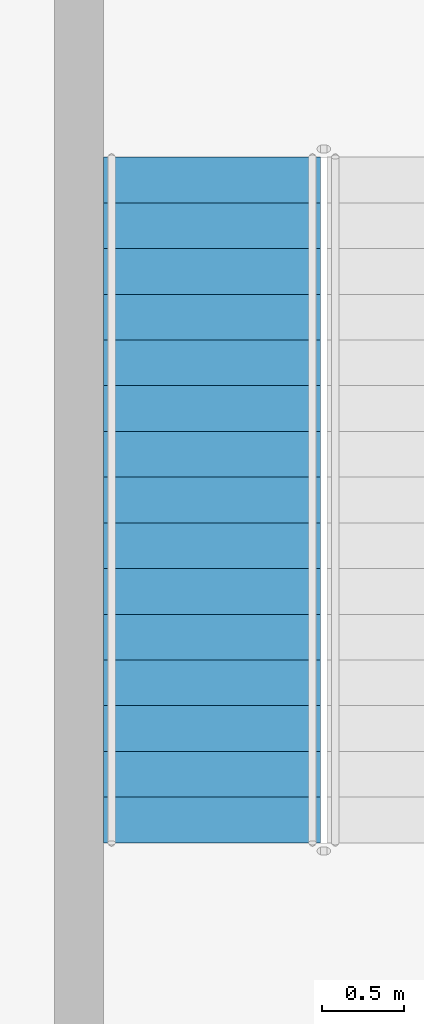
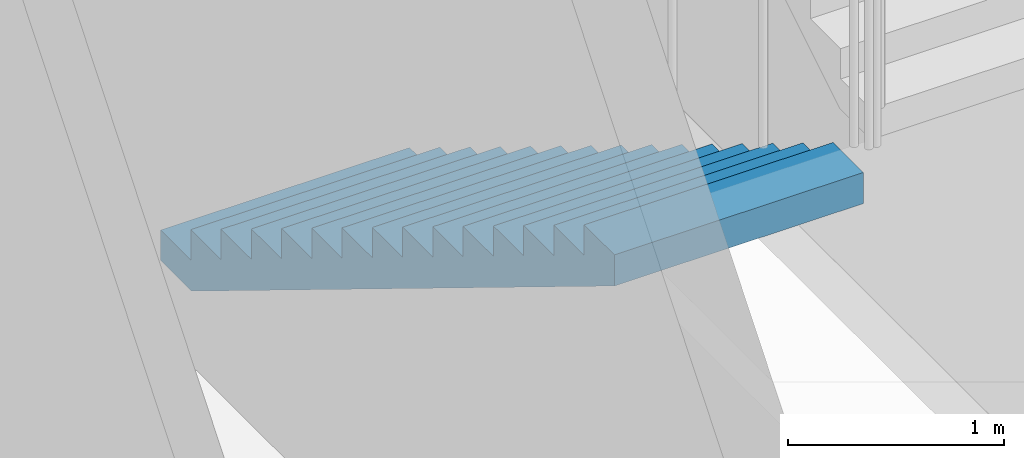
# One storey, part 15 of 31: 1 stair flight, 1 element without a shape of its own.
"""IFC4 building model written with IfcOpenShell, lengths in metres."""

import ifcopenshell
import ifcopenshell.guid

model = None  # the IFC model being written
_history = None  # IfcOwnerHistory: only IFC2X3 demands one
_inside = {}  # id of a spatial element -> (the spatial element, [elements in it])
_under = {}  # id of a project, library or spatial element -> (it, [spatial elements below it])
_declared = {}  # id of a project -> (the project, [libraries it declares])
_typed = {}  # id of a type object -> (the type object, [elements of that type])
_made_of = {}  # id of a material, layer set ... -> (it, [elements and type objects made of it])


def new_model(schema):
    """Start an empty IFC model of exactly this schema.

    Asked for "IFC4X3", IfcOpenShell would pick the latest addendum, in which some entities
    have other attributes; the version numbers below select the first issue.
    IFC2X3 requires an IfcOwnerHistory on every rooted entity: one is made here for all.
    """
    global model, _history
    if schema == "IFC4X3":
        model = ifcopenshell.file(schema_version=(4, 3, 0, 0))
    else:
        model = ifcopenshell.file(schema=schema)
    _inside.clear()
    _under.clear()
    _declared.clear()
    _typed.clear()
    _made_of.clear()
    _history = None
    if model.schema == "IFC2X3":
        org = make("IfcOrganization", Name="unknown")
        user = make(
            "IfcPersonAndOrganization",
            ThePerson=make("IfcPerson", FamilyName="unknown"),
            TheOrganization=org,
        )
        app = make(
            "IfcApplication",
            ApplicationDeveloper=org,
            Version="unknown",
            ApplicationFullName="unknown",
            ApplicationIdentifier="unknown",
        )
        _history = make(
            "IfcOwnerHistory",
            OwningUser=user,
            OwningApplication=app,
            ChangeAction="ADDED",
            CreationDate=0,
        )
    return model


def make(cls, **values):
    """One entity of the class cls with the attributes given. An attribute that is None is left unset."""
    return model.create_entity(
        cls, **{name: value for name, value in values.items() if value is not None}
    )


def rooted(cls, **values):
    """An entity with a GlobalId (a new one), such as an element, a storey or a relation."""
    return make(cls, GlobalId=ifcopenshell.guid.new(), OwnerHistory=_history, **values)


def si_unit(unit_type, name, prefix=None):
    """IfcSIUnit, for example si_unit("LENGTHUNIT", "METRE", prefix="MILLI")."""
    return make("IfcSIUnit", UnitType=unit_type, Prefix=prefix, Name=name)


def assignment(units):
    """IfcUnitAssignment: the units of a project."""
    return None if units is None else make("IfcUnitAssignment", Units=units)


def point(xyz):
    """IfcCartesianPoint."""
    return None if xyz is None else make("IfcCartesianPoint", Coordinates=xyz)


def direction(xyz):
    """IfcDirection."""
    return None if xyz is None else make("IfcDirection", DirectionRatios=xyz)


def frame(location, z_axis=None, x_axis=None):
    """IfcAxis2Placement3D, a coordinate frame: its origin and axes. An axis left out is left unset."""
    return make(
        "IfcAxis2Placement3D",
        Location=point(location),
        Axis=direction(z_axis),
        RefDirection=direction(x_axis),
    )


def origin():
    """The frame at (0, 0, 0) with its axes left unset."""
    return frame((0.0, 0.0, 0.0))


def place(relative_to, where):
    """IfcLocalPlacement: puts the frame where relative to a parent placement (None: the world)."""
    return make(
        "IfcLocalPlacement", PlacementRelTo=relative_to, RelativePlacement=where
    )


def context(
    kind, dimensions, precision=None, world=None, true_north=None, identifier=None
):
    """IfcGeometricRepresentationContext, for example the 3D "Model" context."""
    return make(
        "IfcGeometricRepresentationContext",
        ContextIdentifier=identifier,
        ContextType=kind,
        CoordinateSpaceDimension=dimensions,
        Precision=precision,
        WorldCoordinateSystem=world,
        TrueNorth=true_north,
    )


def subcontext(parent, identifier, kind, view, scale=None):
    """IfcGeometricRepresentationSubContext, for example "Body" below "Model"."""
    return make(
        "IfcGeometricRepresentationSubContext",
        ContextIdentifier=identifier,
        ContextType=kind,
        ParentContext=parent,
        TargetScale=scale,
        TargetView=view,
    )


def project(units=None, contexts=None):
    """IfcProject with its units and contexts."""
    return rooted(
        "IfcProject",
        Name="project",
        RepresentationContexts=contexts,
        UnitsInContext=assignment(units),
    )


def spatial(cls, under=None, at=None, **own):
    """A site, building, storey or space (cls), placed at a placement, below another one or the project."""
    s = rooted(cls, ObjectPlacement=at, **own)
    if under is not None:
        _under.setdefault(under.id(), (under, []))[1].append(s)
    return s


def point_list(points):
    """IfcCartesianPointList2D or 3D."""
    cls = (
        "IfcCartesianPointList2D" if len(points[0]) == 2 else "IfcCartesianPointList3D"
    )
    return make(cls, CoordList=points)


def triangles(points, corners, closed=None, point_numbers=None):
    """IfcTriangulatedFaceSet: each triangle names its three corners, points numbered from 1."""
    return make(
        "IfcTriangulatedFaceSet",
        Coordinates=point_list(points),
        Closed=closed,
        CoordIndex=corners,
        PnIndex=point_numbers,
    )


def shape(context_of_items, identifier, shape_type, items):
    """IfcShapeRepresentation: the items that make up one representation, for example the "Body"."""
    return make(
        "IfcShapeRepresentation",
        ContextOfItems=context_of_items,
        RepresentationIdentifier=identifier,
        RepresentationType=shape_type,
        Items=items,
    )


def source(mapping_origin, context_of_items, identifier, shape_type, items):
    """IfcRepresentationMap: a shape defined once, which mapped items show again and again."""
    return make(
        "IfcRepresentationMap",
        MappingOrigin=mapping_origin,
        MappedRepresentation=shape(context_of_items, identifier, shape_type, items),
    )


def transform(
    local_origin,
    x_axis=None,
    y_axis=None,
    z_axis=None,
    scale=None,
    scale2=None,
    scale3=None,
    uniform=True,
):
    """IfcCartesianTransformationOperator3D, or its non-uniform kind. x_axis, y_axis, z_axis: its Axis1, 2, 3."""
    if uniform:
        return make(
            "IfcCartesianTransformationOperator3D",
            Axis1=direction(x_axis),
            Axis2=direction(y_axis),
            LocalOrigin=point(local_origin),
            Scale=scale,
            Axis3=direction(z_axis),
        )
    return make(
        "IfcCartesianTransformationOperator3DnonUniform",
        Axis1=direction(x_axis),
        Axis2=direction(y_axis),
        LocalOrigin=point(local_origin),
        Scale=scale,
        Axis3=direction(z_axis),
        Scale2=scale2,
        Scale3=scale3,
    )


def mapped(mapping_source, mapping_target):
    """IfcMappedItem: shows the shape of a source again, moved by a transform."""
    return make(
        "IfcMappedItem", MappingSource=mapping_source, MappingTarget=mapping_target
    )


def material(Name=None, Category=None):
    """IfcMaterial."""
    return make("IfcMaterial", Name=Name, Category=Category)


def made_of(thing, what):
    """Note that an element or type object is made of a material, layer set ...; save() writes the relation."""
    if what is not None:
        _made_of.setdefault(what.id(), (what, []))[1].append(thing)
    return thing


def type_object(cls, material=None, **own):
    """A type object (cls), such as IfcWallType, which elements share."""
    return made_of(rooted(cls, **own), material)


def element(
    cls,
    number,
    at=None,
    inside=None,
    cuts=None,
    type_object=None,
    material=None,
    context=None,
    identifier="Body",
    shape_type=None,
    held_by="IfcProductDefinitionShape",
    body=None,
    shapes=None,
    **own,
):
    """One element of the class cls, such as IfcWall. Its Tag is "e" and its number.

    at: its placement. inside: the storey or other place that contains it. cuts: it is an
    opening in that element (IfcRelVoidsElement). A single representation is given by context,
    identifier, shape_type and body (its items); several are given by shapes. held_by: the class
    of the entity that holds the representations. save() writes the other relations.
    """
    e = rooted(cls, Tag="e%d" % number, ObjectPlacement=at, **own)
    if body is not None:
        shapes = [shape(context, identifier, shape_type, body)]
    if shapes is not None:
        e.Representation = make(held_by, Representations=shapes)
    if inside is not None:
        _inside.setdefault(inside.id(), (inside, []))[1].append(e)
    if cuts is not None:
        rooted(
            "IfcRelVoidsElement", RelatingBuildingElement=cuts, RelatedOpeningElement=e
        )
    if type_object is not None:
        _typed.setdefault(type_object.id(), (type_object, []))[1].append(e)
    return made_of(e, material)


def aggregate(whole, parts):
    """IfcRelAggregates: a whole, such as a stair, and the parts it consists of."""
    return rooted("IfcRelAggregates", RelatingObject=whole, RelatedObjects=parts)


def save(model, path):
    """Write the relations noted so far, then the file.

    IfcRelAggregates (storeys below a building ...), IfcRelContainedInSpatialStructure (elements
    in a storey), IfcRelDefinesByType, IfcRelAssociatesMaterial and IfcRelDeclares: one each for
    every whole, place, type object, material and project.
    """
    for whole, parts in _under.values():
        aggregate(whole, parts)
    for where, things in _inside.values():
        rooted(
            "IfcRelContainedInSpatialStructure",
            RelatedElements=things,
            RelatingStructure=where,
        )
    for kind, things in _typed.values():
        rooted("IfcRelDefinesByType", RelatedObjects=things, RelatingType=kind)
    for what, things in _made_of.values():
        rooted("IfcRelAssociatesMaterial", RelatedObjects=things, RelatingMaterial=what)
    for by, libraries in _declared.values():
        rooted("IfcRelDeclares", RelatingContext=by, RelatedDefinitions=libraries)
    model.write(path)


model = new_model("IFC4")

# Units and contexts
model_context = context("Model", 3, precision=1e-05, world=origin(), true_north=direction((0.0, 1.0)))
body_context = subcontext(model_context, "Body", "Model", "MODEL_VIEW")
ifc_project = project(units=[si_unit("LENGTHUNIT", "METRE"), si_unit("AREAUNIT", "SQUARE_METRE"), si_unit("VOLUMEUNIT", "CUBIC_METRE"), si_unit("PLANEANGLEUNIT", "RADIAN"), si_unit("MASSUNIT", "GRAM", prefix="KILO")], contexts=[model_context])

# Site, building, storey
site_placement = place(None, origin())
site = spatial("IfcSite", under=ifc_project, at=site_placement, CompositionType="ELEMENT")
building_placement = place(site_placement, origin())
building = spatial("IfcBuilding", under=site, at=building_placement, Name="Ogive Portal Towers", CompositionType="ELEMENT")
storey_placement = place(building_placement, frame((0.0, 0.0, 8.0)))
storey = spatial("IfcBuildingStorey", under=building, at=storey_placement, Name="L01", CompositionType="ELEMENT", Elevation=8.0)

# Stair, stair flight
ifc_material = material(Name="Concrete C40/50", Category="concrete")
stair_type = type_object("IfcStairType", Name="INT-STAIR", PredefinedType="HALF_TURN_STAIR", material=ifc_material)
stair_placement = place(storey_placement, origin())
stair = element("IfcStair", 1, at=stair_placement, inside=storey, type_object=stair_type, Name="L01 Exit Stair ST-A4", PredefinedType="HALF_TURN_STAIR")
stair_flight_type = type_object("IfcStairFlightType", Name="INT-FLIGHT", PredefinedType="STRAIGHT", material=ifc_material)
shared_shape = source(origin(), body_context, "Body", "Tessellation", [
    triangles([(0.0, -0.6650390625, 0.0), (0.0, -0.384765625, 0.0), (0.0, -0.197021484375, 0.0), (0.0, -0.0830078125, 0.0), (0.0, -0.024658203125, 0.0), (0.0, -0.003173828125, 0.0), (0.0, 0.0, 0.0), (0.0, 0.003173828125, 0.0), (0.0, 0.024658203125, 0.0), (0.0, 0.0830078125, 0.0), (0.0, 0.197021484375, 0.0), (0.0, 0.384765625, 0.0), (0.0, 0.6650390625, 0.0), (0.0, -0.6650390625, 0.171875), (0.0, -0.384765625, 0.171875), (0.0, -0.197021484375, 0.171875), (0.0, -0.0830078125, 0.171875), (0.0, -0.024658203125, 0.171875), (0.0, -0.003173828125, 0.171875), (0.0, 0.0, 0.171875), (0.0, 0.003173828125, 0.171875), (0.0, 0.024658203125, 0.171875), (0.0, 0.0830078125, 0.171875), (0.0, 0.197021484375, 0.171875), (0.0, 0.384765625, 0.171875), (0.0, 0.6650390625, 0.171875), (0.280029296875, -0.6650390625, 0.171875), (0.280029296875, -0.384765625, 0.171875), (0.280029296875, -0.197021484375, 0.171875), (0.280029296875, -0.0830078125, 0.171875), (0.280029296875, -0.024658203125, 0.171875), (0.280029296875, -0.003173828125, 0.171875), (0.280029296875, 0.0, 0.171875), (0.280029296875, 0.003173828125, 0.171875), (0.280029296875, 0.024658203125, 0.171875), (0.280029296875, 0.0830078125, 0.171875), (0.280029296875, 0.197021484375, 0.171875), (0.280029296875, 0.384765625, 0.171875), (0.280029296875, 0.6650390625, 0.171875), (0.280029296875, -0.6650390625, 0.34375), (0.280029296875, -0.384765625, 0.34375), (0.280029296875, -0.197021484375, 0.34375), (0.280029296875, -0.0830078125, 0.34375), (0.280029296875, -0.024658203125, 0.34375), (0.280029296875, -0.003173828125, 0.34375), (0.280029296875, 0.0, 0.34375), (0.280029296875, 0.003173828125, 0.34375), (0.280029296875, 0.024658203125, 0.34375), (0.280029296875, 0.0830078125, 0.34375), (0.280029296875, 0.197021484375, 0.34375), (0.280029296875, 0.384765625, 0.34375), (0.280029296875, 0.6650390625, 0.34375), (0.56005859375, -0.6650390625, 0.34375), (0.56005859375, -0.384765625, 0.34375), (0.56005859375, -0.197021484375, 0.34375), (0.56005859375, -0.0830078125, 0.34375), (0.56005859375, -0.024658203125, 0.34375), (0.56005859375, -0.003173828125, 0.34375), (0.56005859375, 0.0, 0.34375), (0.56005859375, 0.003173828125, 0.34375), (0.56005859375, 0.024658203125, 0.34375), (0.56005859375, 0.0830078125, 0.34375), (0.56005859375, 0.197021484375, 0.34375), (0.56005859375, 0.384765625, 0.34375), (0.56005859375, 0.6650390625, 0.34375), (0.56005859375, -0.6650390625, 0.515625), (0.56005859375, -0.384765625, 0.515625), (0.56005859375, -0.197021484375, 0.515625), (0.56005859375, -0.0830078125, 0.515625), (0.56005859375, -0.024658203125, 0.515625), (0.56005859375, -0.003173828125, 0.515625), (0.56005859375, 0.0, 0.515625), (0.56005859375, 0.003173828125, 0.515625), (0.56005859375, 0.024658203125, 0.515625), (0.56005859375, 0.0830078125, 0.515625), (0.56005859375, 0.197021484375, 0.515625), (0.56005859375, 0.384765625, 0.515625), (0.56005859375, 0.6650390625, 0.515625), (0.840087890625, -0.6650390625, 0.515625), (0.840087890625, -0.384765625, 0.515625), (0.840087890625, -0.197021484375, 0.515625), (0.840087890625, -0.0830078125, 0.515625), (0.840087890625, -0.024658203125, 0.515625), (0.840087890625, -0.003173828125, 0.515625), (0.840087890625, 0.0, 0.515625), (0.840087890625, 0.003173828125, 0.515625), (0.840087890625, 0.024658203125, 0.515625), (0.840087890625, 0.0830078125, 0.515625), (0.840087890625, 0.197021484375, 0.515625), (0.840087890625, 0.384765625, 0.515625), (0.840087890625, 0.6650390625, 0.515625), (0.840087890625, -0.6650390625, 0.6875), (0.840087890625, -0.384765625, 0.6875), (0.840087890625, -0.197021484375, 0.6875), (0.840087890625, -0.0830078125, 0.6875), (0.840087890625, -0.024658203125, 0.6875), (0.840087890625, -0.003173828125, 0.6875), (0.840087890625, 0.0, 0.6875), (0.840087890625, 0.003173828125, 0.6875), (0.840087890625, 0.024658203125, 0.6875), (0.840087890625, 0.0830078125, 0.6875), (0.840087890625, 0.197021484375, 0.6875), (0.840087890625, 0.384765625, 0.6875), (0.840087890625, 0.6650390625, 0.6875), (1.1201171875, -0.6650390625, 0.6875), (1.1201171875, -0.384765625, 0.6875), (1.1201171875, -0.197021484375, 0.6875), (1.1201171875, -0.0830078125, 0.6875), (1.1201171875, -0.024658203125, 0.6875), (1.1201171875, -0.003173828125, 0.6875), (1.1201171875, 0.0, 0.6875), (1.1201171875, 0.003173828125, 0.6875), (1.1201171875, 0.024658203125, 0.6875), (1.1201171875, 0.0830078125, 0.6875), (1.1201171875, 0.197021484375, 0.6875), (1.1201171875, 0.384765625, 0.6875), (1.1201171875, 0.6650390625, 0.6875), (1.1201171875, -0.6650390625, 0.859375), (1.1201171875, -0.384765625, 0.859375), (1.1201171875, -0.197021484375, 0.859375), (1.1201171875, -0.0830078125, 0.859375), (1.1201171875, -0.024658203125, 0.859375), (1.1201171875, -0.003173828125, 0.859375), (1.1201171875, 0.0, 0.859375), (1.1201171875, 0.003173828125, 0.859375), (1.1201171875, 0.024658203125, 0.859375), (1.1201171875, 0.0830078125, 0.859375), (1.1201171875, 0.197021484375, 0.859375), (1.1201171875, 0.384765625, 0.859375), (1.1201171875, 0.6650390625, 0.859375), (1.39990234375, -0.6650390625, 0.859375), (1.39990234375, -0.384765625, 0.859375), (1.39990234375, -0.197021484375, 0.859375), (1.39990234375, -0.0830078125, 0.859375), (1.39990234375, -0.024658203125, 0.859375), (1.39990234375, -0.003173828125, 0.859375), (1.39990234375, 0.0, 0.859375), (1.39990234375, 0.003173828125, 0.859375), (1.39990234375, 0.024658203125, 0.859375), (1.39990234375, 0.0830078125, 0.859375), (1.39990234375, 0.197021484375, 0.859375), (1.39990234375, 0.384765625, 0.859375), (1.39990234375, 0.6650390625, 0.859375), (1.39990234375, -0.6650390625, 1.03125), (1.39990234375, -0.384765625, 1.03125), (1.39990234375, -0.197021484375, 1.03125), (1.39990234375, -0.0830078125, 1.03125), (1.39990234375, -0.024658203125, 1.03125), (1.39990234375, -0.003173828125, 1.03125), (1.39990234375, 0.0, 1.03125), (1.39990234375, 0.003173828125, 1.03125), (1.39990234375, 0.024658203125, 1.03125), (1.39990234375, 0.0830078125, 1.03125), (1.39990234375, 0.197021484375, 1.03125), (1.39990234375, 0.384765625, 1.03125), (1.39990234375, 0.6650390625, 1.03125), (1.679931640625, -0.6650390625, 1.03125), (1.679931640625, -0.384765625, 1.03125), (1.679931640625, -0.197021484375, 1.03125), (1.679931640625, -0.0830078125, 1.03125), (1.679931640625, -0.024658203125, 1.03125), (1.679931640625, -0.003173828125, 1.03125), (1.679931640625, 0.0, 1.03125), (1.679931640625, 0.003173828125, 1.03125), (1.679931640625, 0.024658203125, 1.03125), (1.679931640625, 0.0830078125, 1.03125), (1.679931640625, 0.197021484375, 1.03125), (1.679931640625, 0.384765625, 1.03125), (1.679931640625, 0.6650390625, 1.03125), (1.679931640625, -0.6650390625, 1.203125), (1.679931640625, -0.384765625, 1.203125), (1.679931640625, -0.197021484375, 1.203125), (1.679931640625, -0.0830078125, 1.203125), (1.679931640625, -0.024658203125, 1.203125), (1.679931640625, -0.003173828125, 1.203125), (1.679931640625, 0.0, 1.203125), (1.679931640625, 0.003173828125, 1.203125), (1.679931640625, 0.024658203125, 1.203125), (1.679931640625, 0.0830078125, 1.203125), (1.679931640625, 0.197021484375, 1.203125), (1.679931640625, 0.384765625, 1.203125), (1.679931640625, 0.6650390625, 1.203125), (1.9599609375, -0.6650390625, 1.203125), (1.9599609375, -0.384765625, 1.203125), (1.9599609375, -0.197021484375, 1.203125), (1.9599609375, -0.0830078125, 1.203125), (1.9599609375, -0.024658203125, 1.203125), (1.9599609375, -0.003173828125, 1.203125), (1.9599609375, 0.0, 1.203125), (1.9599609375, 0.003173828125, 1.203125), (1.9599609375, 0.024658203125, 1.203125), (1.9599609375, 0.0830078125, 1.203125), (1.9599609375, 0.197021484375, 1.203125), (1.9599609375, 0.384765625, 1.203125), (1.9599609375, 0.6650390625, 1.203125), (1.9599609375, -0.6650390625, 1.375), (1.9599609375, -0.384765625, 1.375), (1.9599609375, -0.197021484375, 1.375), (1.9599609375, -0.0830078125, 1.375), (1.9599609375, -0.024658203125, 1.375), (1.9599609375, -0.003173828125, 1.375), (1.9599609375, 0.0, 1.375), (1.9599609375, 0.003173828125, 1.375), (1.9599609375, 0.024658203125, 1.375), (1.9599609375, 0.0830078125, 1.375), (1.9599609375, 0.197021484375, 1.375), (1.9599609375, 0.384765625, 1.375), (1.9599609375, 0.6650390625, 1.375), (2.239990234375, -0.6650390625, 1.375), (2.239990234375, -0.384765625, 1.375), (2.239990234375, -0.197021484375, 1.375), (2.239990234375, -0.0830078125, 1.375), (2.239990234375, -0.024658203125, 1.375), (2.239990234375, -0.003173828125, 1.375), (2.239990234375, 0.0, 1.375), (2.239990234375, 0.003173828125, 1.375), (2.239990234375, 0.024658203125, 1.375), (2.239990234375, 0.0830078125, 1.375), (2.239990234375, 0.197021484375, 1.375), (2.239990234375, 0.384765625, 1.375), (2.239990234375, 0.6650390625, 1.375), (2.239990234375, -0.6650390625, 1.546875), (2.239990234375, -0.384765625, 1.546875), (2.239990234375, -0.197021484375, 1.546875), (2.239990234375, -0.0830078125, 1.546875), (2.239990234375, -0.024658203125, 1.546875), (2.239990234375, -0.003173828125, 1.546875), (2.239990234375, 0.0, 1.546875), (2.239990234375, 0.003173828125, 1.546875), (2.239990234375, 0.024658203125, 1.546875), (2.239990234375, 0.0830078125, 1.546875), (2.239990234375, 0.197021484375, 1.546875), (2.239990234375, 0.384765625, 1.546875), (2.239990234375, 0.6650390625, 1.546875), (2.52001953125, -0.6650390625, 1.546875), (2.52001953125, -0.384765625, 1.546875), (2.52001953125, -0.197021484375, 1.546875), (2.52001953125, -0.0830078125, 1.546875), (2.52001953125, -0.024658203125, 1.546875), (2.52001953125, -0.003173828125, 1.546875), (2.52001953125, 0.0, 1.546875), (2.52001953125, 0.003173828125, 1.546875), (2.52001953125, 0.024658203125, 1.546875), (2.52001953125, 0.0830078125, 1.546875), (2.52001953125, 0.197021484375, 1.546875), (2.52001953125, 0.384765625, 1.546875), (2.52001953125, 0.6650390625, 1.546875), (2.52001953125, -0.6650390625, 1.71875), (2.52001953125, -0.384765625, 1.71875), (2.52001953125, -0.197021484375, 1.71875), (2.52001953125, -0.0830078125, 1.71875), (2.52001953125, -0.024658203125, 1.71875), (2.52001953125, -0.003173828125, 1.71875), (2.52001953125, 0.0, 1.71875), (2.52001953125, 0.003173828125, 1.71875), (2.52001953125, 0.024658203125, 1.71875), (2.52001953125, 0.0830078125, 1.71875), (2.52001953125, 0.197021484375, 1.71875), (2.52001953125, 0.384765625, 1.71875), (2.52001953125, 0.6650390625, 1.71875), (2.800048828125, -0.6650390625, 1.71875), (2.800048828125, -0.384765625, 1.71875), (2.800048828125, -0.197021484375, 1.71875), (2.800048828125, -0.0830078125, 1.71875), (2.800048828125, -0.024658203125, 1.71875), (2.800048828125, -0.003173828125, 1.71875), (2.800048828125, 0.0, 1.71875), (2.800048828125, 0.003173828125, 1.71875), (2.800048828125, 0.024658203125, 1.71875), (2.800048828125, 0.0830078125, 1.71875), (2.800048828125, 0.197021484375, 1.71875), (2.800048828125, 0.384765625, 1.71875), (2.800048828125, 0.6650390625, 1.71875), (2.800048828125, -0.6650390625, 1.890625), (2.800048828125, -0.384765625, 1.890625), (2.800048828125, -0.197021484375, 1.890625), (2.800048828125, -0.0830078125, 1.890625), (2.800048828125, -0.024658203125, 1.890625), (2.800048828125, -0.003173828125, 1.890625), (2.800048828125, 0.0, 1.890625), (2.800048828125, 0.003173828125, 1.890625), (2.800048828125, 0.024658203125, 1.890625), (2.800048828125, 0.0830078125, 1.890625), (2.800048828125, 0.197021484375, 1.890625), (2.800048828125, 0.384765625, 1.890625), (2.800048828125, 0.6650390625, 1.890625), (3.080078125, -0.6650390625, 1.890625), (3.080078125, -0.384765625, 1.890625), (3.080078125, -0.197021484375, 1.890625), (3.080078125, -0.0830078125, 1.890625), (3.080078125, -0.024658203125, 1.890625), (3.080078125, -0.003173828125, 1.890625), (3.080078125, 0.0, 1.890625), (3.080078125, 0.003173828125, 1.890625), (3.080078125, 0.024658203125, 1.890625), (3.080078125, 0.0830078125, 1.890625), (3.080078125, 0.197021484375, 1.890625), (3.080078125, 0.384765625, 1.890625), (3.080078125, 0.6650390625, 1.890625), (3.080078125, -0.6650390625, 2.0625), (3.080078125, -0.384765625, 2.0625), (3.080078125, -0.197021484375, 2.0625), (3.080078125, -0.0830078125, 2.0625), (3.080078125, -0.024658203125, 2.0625), (3.080078125, -0.003173828125, 2.0625), (3.080078125, 0.0, 2.0625), (3.080078125, 0.003173828125, 2.0625), (3.080078125, 0.024658203125, 2.0625), (3.080078125, 0.0830078125, 2.0625), (3.080078125, 0.197021484375, 2.0625), (3.080078125, 0.384765625, 2.0625), (3.080078125, 0.6650390625, 2.0625), (3.360107421875, -0.6650390625, 2.0625), (3.360107421875, -0.384765625, 2.0625), (3.360107421875, -0.197021484375, 2.0625), (3.360107421875, -0.0830078125, 2.0625), (3.360107421875, -0.024658203125, 2.0625), (3.360107421875, -0.003173828125, 2.0625), (3.360107421875, 0.0, 2.0625), (3.360107421875, 0.003173828125, 2.0625), (3.360107421875, 0.024658203125, 2.0625), (3.360107421875, 0.0830078125, 2.0625), (3.360107421875, 0.197021484375, 2.0625), (3.360107421875, 0.384765625, 2.0625), (3.360107421875, 0.6650390625, 2.0625), (3.360107421875, -0.6650390625, 2.234375), (3.360107421875, -0.384765625, 2.234375), (3.360107421875, -0.197021484375, 2.234375), (3.360107421875, -0.0830078125, 2.234375), (3.360107421875, -0.024658203125, 2.234375), (3.360107421875, -0.003173828125, 2.234375), (3.360107421875, 0.0, 2.234375), (3.360107421875, 0.003173828125, 2.234375), (3.360107421875, 0.024658203125, 2.234375), (3.360107421875, 0.0830078125, 2.234375), (3.360107421875, 0.197021484375, 2.234375), (3.360107421875, 0.384765625, 2.234375), (3.360107421875, 0.6650390625, 2.234375), (3.639892578125, -0.6650390625, 2.234375), (3.639892578125, -0.384765625, 2.234375), (3.639892578125, -0.197021484375, 2.234375), (3.639892578125, -0.0830078125, 2.234375), (3.639892578125, -0.024658203125, 2.234375), (3.639892578125, -0.003173828125, 2.234375), (3.639892578125, 0.0, 2.234375), (3.639892578125, 0.003173828125, 2.234375), (3.639892578125, 0.024658203125, 2.234375), (3.639892578125, 0.0830078125, 2.234375), (3.639892578125, 0.197021484375, 2.234375), (3.639892578125, 0.384765625, 2.234375), (3.639892578125, 0.6650390625, 2.234375), (3.639892578125, -0.6650390625, 2.40625), (3.639892578125, -0.384765625, 2.40625), (3.639892578125, -0.197021484375, 2.40625), (3.639892578125, -0.0830078125, 2.40625), (3.639892578125, -0.024658203125, 2.40625), (3.639892578125, -0.003173828125, 2.40625), (3.639892578125, 0.0, 2.40625), (3.639892578125, 0.003173828125, 2.40625), (3.639892578125, 0.024658203125, 2.40625), (3.639892578125, 0.0830078125, 2.40625), (3.639892578125, 0.197021484375, 2.40625), (3.639892578125, 0.384765625, 2.40625), (3.639892578125, 0.6650390625, 2.40625), (3.919921875, -0.6650390625, 2.40625), (3.919921875, -0.384765625, 2.40625), (3.919921875, -0.197021484375, 2.40625), (3.919921875, -0.0830078125, 2.40625), (3.919921875, -0.024658203125, 2.40625), (3.919921875, -0.003173828125, 2.40625), (3.919921875, 0.0, 2.40625), (3.919921875, 0.003173828125, 2.40625), (3.919921875, 0.024658203125, 2.40625), (3.919921875, 0.0830078125, 2.40625), (3.919921875, 0.197021484375, 2.40625), (3.919921875, 0.384765625, 2.40625), (3.919921875, 0.6650390625, 2.40625), (3.919921875, -0.6650390625, 2.578125), (3.919921875, -0.384765625, 2.578125), (3.919921875, -0.197021484375, 2.578125), (3.919921875, -0.0830078125, 2.578125), (3.919921875, -0.024658203125, 2.578125), (3.919921875, -0.003173828125, 2.578125), (3.919921875, 0.0, 2.578125), (3.919921875, 0.003173828125, 2.578125), (3.919921875, 0.024658203125, 2.578125), (3.919921875, 0.0830078125, 2.578125), (3.919921875, 0.197021484375, 2.578125), (3.919921875, 0.384765625, 2.578125), (3.919921875, 0.6650390625, 2.578125), (4.199951171875, -0.6650390625, 2.578125), (4.199951171875, -0.384765625, 2.578125), (4.199951171875, -0.197021484375, 2.578125), (4.199951171875, -0.0830078125, 2.578125), (4.199951171875, -0.024658203125, 2.578125), (4.199951171875, -0.003173828125, 2.578125), (4.199951171875, 0.0, 2.578125), (4.199951171875, 0.003173828125, 2.578125), (4.199951171875, 0.024658203125, 2.578125), (4.199951171875, 0.0830078125, 2.578125), (4.199951171875, 0.197021484375, 2.578125), (4.199951171875, 0.384765625, 2.578125), (4.199951171875, 0.6650390625, 2.578125), (4.199951171875, -0.6650390625, 2.40234375), (4.199951171875, -0.384765625, 2.40234375), (4.199951171875, -0.197021484375, 2.40234375), (4.199951171875, -0.0830078125, 2.40234375), (4.199951171875, -0.024658203125, 2.40234375), (4.199951171875, -0.003173828125, 2.40234375), (4.199951171875, 0.0, 2.40234375), (4.199951171875, 0.003173828125, 2.40234375), (4.199951171875, 0.024658203125, 2.40234375), (4.199951171875, 0.0830078125, 2.40234375), (4.199951171875, 0.197021484375, 2.40234375), (4.199951171875, 0.384765625, 2.40234375), (4.199951171875, 0.6650390625, 2.40234375), (0.28662109375, -0.6650390625, 0.0), (0.28662109375, -0.384765625, 0.0), (0.28662109375, -0.197021484375, 0.0), (0.28662109375, -0.0830078125, 0.0), (0.28662109375, -0.024658203125, 0.0), (0.28662109375, -0.003173828125, 0.0), (0.28662109375, 0.0, 0.0), (0.28662109375, 0.003173828125, 0.0), (0.28662109375, 0.024658203125, 0.0), (0.28662109375, 0.0830078125, 0.0), (0.28662109375, 0.197021484375, 0.0), (0.28662109375, 0.384765625, 0.0), (0.28662109375, 0.6650390625, 0.0)], [[1, 14, 15], [1, 15, 2], [2, 15, 16], [2, 16, 3], [3, 16, 17], [3, 17, 4], [4, 17, 18], [4, 18, 5], [5, 18, 19], [5, 19, 6], [6, 19, 20], [6, 20, 7], [7, 20, 21], [7, 21, 8], [8, 21, 22], [8, 22, 9], [9, 22, 23], [9, 23, 10], [10, 23, 24], [10, 24, 11], [11, 24, 25], [11, 25, 12], [12, 25, 26], [12, 26, 13], [14, 27, 28], [14, 28, 15], [15, 28, 29], [15, 29, 16], [16, 29, 30], [16, 30, 17], [17, 30, 31], [17, 31, 18], [18, 31, 32], [18, 32, 19], [19, 32, 33], [19, 33, 20], [20, 33, 34], [20, 34, 21], [21, 34, 35], [21, 35, 22], [22, 35, 36], [22, 36, 23], [23, 36, 37], [23, 37, 24], [24, 37, 38], [24, 38, 25], [25, 38, 39], [25, 39, 26], [27, 40, 41], [27, 41, 28], [28, 41, 42], [28, 42, 29], [29, 42, 43], [29, 43, 30], [30, 43, 44], [30, 44, 31], [31, 44, 45], [31, 45, 32], [32, 45, 46], [32, 46, 33], [33, 46, 47], [33, 47, 34], [34, 47, 48], [34, 48, 35], [35, 48, 49], [35, 49, 36], [36, 49, 50], [36, 50, 37], [37, 50, 51], [37, 51, 38], [38, 51, 52], [38, 52, 39], [40, 53, 54], [40, 54, 41], [41, 54, 55], [41, 55, 42], [42, 55, 56], [42, 56, 43], [43, 56, 57], [43, 57, 44], [44, 57, 58], [44, 58, 45], [45, 58, 59], [45, 59, 46], [46, 59, 60], [46, 60, 47], [47, 60, 61], [47, 61, 48], [48, 61, 62], [48, 62, 49], [49, 62, 63], [49, 63, 50], [50, 63, 64], [50, 64, 51], [51, 64, 65], [51, 65, 52], [53, 66, 67], [53, 67, 54], [54, 67, 68], [54, 68, 55], [55, 68, 69], [55, 69, 56], [56, 69, 70], [56, 70, 57], [57, 70, 71], [57, 71, 58], [58, 71, 72], [58, 72, 59], [59, 72, 73], [59, 73, 60], [60, 73, 74], [60, 74, 61], [61, 74, 75], [61, 75, 62], [62, 75, 76], [62, 76, 63], [63, 76, 77], [63, 77, 64], [64, 77, 78], [64, 78, 65], [66, 79, 80], [66, 80, 67], [67, 80, 81], [67, 81, 68], [68, 81, 82], [68, 82, 69], [69, 82, 83], [69, 83, 70], [70, 83, 84], [70, 84, 71], [71, 84, 85], [71, 85, 72], [72, 85, 86], [72, 86, 73], [73, 86, 87], [73, 87, 74], [74, 87, 88], [74, 88, 75], [75, 88, 89], [75, 89, 76], [76, 89, 90], [76, 90, 77], [77, 90, 91], [77, 91, 78], [79, 92, 93], [79, 93, 80], [80, 93, 94], [80, 94, 81], [81, 94, 95], [81, 95, 82], [82, 95, 96], [82, 96, 83], [83, 96, 97], [83, 97, 84], [84, 97, 98], [84, 98, 85], [85, 98, 99], [85, 99, 86], [86, 99, 100], [86, 100, 87], [87, 100, 101], [87, 101, 88], [88, 101, 102], [88, 102, 89], [89, 102, 103], [89, 103, 90], [90, 103, 104], [90, 104, 91], [92, 105, 106], [92, 106, 93], [93, 106, 107], [93, 107, 94], [94, 107, 108], [94, 108, 95], [95, 108, 109], [95, 109, 96], [96, 109, 110], [96, 110, 97], [97, 110, 111], [97, 111, 98], [98, 111, 112], [98, 112, 99], [99, 112, 113], [99, 113, 100], [100, 113, 114], [100, 114, 101], [101, 114, 115], [101, 115, 102], [102, 115, 116], [102, 116, 103], [103, 116, 117], [103, 117, 104], [105, 118, 119], [105, 119, 106], [106, 119, 120], [106, 120, 107], [107, 120, 121], [107, 121, 108], [108, 121, 122], [108, 122, 109], [109, 122, 123], [109, 123, 110], [110, 123, 124], [110, 124, 111], [111, 124, 125], [111, 125, 112], [112, 125, 126], [112, 126, 113], [113, 126, 127], [113, 127, 114], [114, 127, 128], [114, 128, 115], [115, 128, 129], [115, 129, 116], [116, 129, 130], [116, 130, 117], [118, 131, 132], [118, 132, 119], [119, 132, 133], [119, 133, 120], [120, 133, 134], [120, 134, 121], [121, 134, 135], [121, 135, 122], [122, 135, 136], [122, 136, 123], [123, 136, 137], [123, 137, 124], [124, 137, 138], [124, 138, 125], [125, 138, 139], [125, 139, 126], [126, 139, 140], [126, 140, 127], [127, 140, 141], [127, 141, 128], [128, 141, 142], [128, 142, 129], [129, 142, 143], [129, 143, 130], [131, 144, 145], [131, 145, 132], [132, 145, 146], [132, 146, 133], [133, 146, 147], [133, 147, 134], [134, 147, 148], [134, 148, 135], [135, 148, 149], [135, 149, 136], [136, 149, 150], [136, 150, 137], [137, 150, 151], [137, 151, 138], [138, 151, 152], [138, 152, 139], [139, 152, 153], [139, 153, 140], [140, 153, 154], [140, 154, 141], [141, 154, 155], [141, 155, 142], [142, 155, 156], [142, 156, 143], [144, 157, 158], [144, 158, 145], [145, 158, 159], [145, 159, 146], [146, 159, 160], [146, 160, 147], [147, 160, 161], [147, 161, 148], [148, 161, 162], [148, 162, 149], [149, 162, 163], [149, 163, 150], [150, 163, 164], [150, 164, 151], [151, 164, 165], [151, 165, 152], [152, 165, 166], [152, 166, 153], [153, 166, 167], [153, 167, 154], [154, 167, 168], [154, 168, 155], [155, 168, 169], [155, 169, 156], [157, 170, 171], [157, 171, 158], [158, 171, 172], [158, 172, 159], [159, 172, 173], [159, 173, 160], [160, 173, 174], [160, 174, 161], [161, 174, 175], [161, 175, 162], [162, 175, 176], [162, 176, 163], [163, 176, 177], [163, 177, 164], [164, 177, 178], [164, 178, 165], [165, 178, 179], [165, 179, 166], [166, 179, 180], [166, 180, 167], [167, 180, 181], [167, 181, 168], [168, 181, 182], [168, 182, 169], [170, 183, 184], [170, 184, 171], [171, 184, 185], [171, 185, 172], [172, 185, 186], [172, 186, 173], [173, 186, 187], [173, 187, 174], [174, 187, 188], [174, 188, 175], [175, 188, 189], [175, 189, 176], [176, 189, 190], [176, 190, 177], [177, 190, 191], [177, 191, 178], [178, 191, 192], [178, 192, 179], [179, 192, 193], [179, 193, 180], [180, 193, 194], [180, 194, 181], [181, 194, 195], [181, 195, 182], [183, 196, 197], [183, 197, 184], [184, 197, 198], [184, 198, 185], [185, 198, 199], [185, 199, 186], [186, 199, 200], [186, 200, 187], [187, 200, 201], [187, 201, 188], [188, 201, 202], [188, 202, 189], [189, 202, 203], [189, 203, 190], [190, 203, 204], [190, 204, 191], [191, 204, 205], [191, 205, 192], [192, 205, 206], [192, 206, 193], [193, 206, 207], [193, 207, 194], [194, 207, 208], [194, 208, 195], [196, 209, 210], [196, 210, 197], [197, 210, 211], [197, 211, 198], [198, 211, 212], [198, 212, 199], [199, 212, 213], [199, 213, 200], [200, 213, 214], [200, 214, 201], [201, 214, 215], [201, 215, 202], [202, 215, 216], [202, 216, 203], [203, 216, 217], [203, 217, 204], [204, 217, 218], [204, 218, 205], [205, 218, 219], [205, 219, 206], [206, 219, 220], [206, 220, 207], [207, 220, 221], [207, 221, 208], [209, 222, 223], [209, 223, 210], [210, 223, 224], [210, 224, 211], [211, 224, 225], [211, 225, 212], [212, 225, 226], [212, 226, 213], [213, 226, 227], [213, 227, 214], [214, 227, 228], [214, 228, 215], [215, 228, 229], [215, 229, 216], [216, 229, 230], [216, 230, 217], [217, 230, 231], [217, 231, 218], [218, 231, 232], [218, 232, 219], [219, 232, 233], [219, 233, 220], [220, 233, 234], [220, 234, 221], [222, 235, 236], [222, 236, 223], [223, 236, 237], [223, 237, 224], [224, 237, 238], [224, 238, 225], [225, 238, 239], [225, 239, 226], [226, 239, 240], [226, 240, 227], [227, 240, 241], [227, 241, 228], [228, 241, 242], [228, 242, 229], [229, 242, 243], [229, 243, 230], [230, 243, 244], [230, 244, 231], [231, 244, 245], [231, 245, 232], [232, 245, 246], [232, 246, 233], [233, 246, 247], [233, 247, 234], [235, 248, 249], [235, 249, 236], [236, 249, 250], [236, 250, 237], [237, 250, 251], [237, 251, 238], [238, 251, 252], [238, 252, 239], [239, 252, 253], [239, 253, 240], [240, 253, 254], [240, 254, 241], [241, 254, 255], [241, 255, 242], [242, 255, 256], [242, 256, 243], [243, 256, 257], [243, 257, 244], [244, 257, 258], [244, 258, 245], [245, 258, 259], [245, 259, 246], [246, 259, 260], [246, 260, 247], [248, 261, 262], [248, 262, 249], [249, 262, 263], [249, 263, 250], [250, 263, 264], [250, 264, 251], [251, 264, 265], [251, 265, 252], [252, 265, 266], [252, 266, 253], [253, 266, 267], [253, 267, 254], [254, 267, 268], [254, 268, 255], [255, 268, 269], [255, 269, 256], [256, 269, 270], [256, 270, 257], [257, 270, 271], [257, 271, 258], [258, 271, 272], [258, 272, 259], [259, 272, 273], [259, 273, 260], [261, 274, 275], [261, 275, 262], [262, 275, 276], [262, 276, 263], [263, 276, 277], [263, 277, 264], [264, 277, 278], [264, 278, 265], [265, 278, 279], [265, 279, 266], [266, 279, 280], [266, 280, 267], [267, 280, 281], [267, 281, 268], [268, 281, 282], [268, 282, 269], [269, 282, 283], [269, 283, 270], [270, 283, 284], [270, 284, 271], [271, 284, 285], [271, 285, 272], [272, 285, 286], [272, 286, 273], [274, 287, 288], [274, 288, 275], [275, 288, 289], [275, 289, 276], [276, 289, 290], [276, 290, 277], [277, 290, 291], [277, 291, 278], [278, 291, 292], [278, 292, 279], [279, 292, 293], [279, 293, 280], [280, 293, 294], [280, 294, 281], [281, 294, 295], [281, 295, 282], [282, 295, 296], [282, 296, 283], [283, 296, 297], [283, 297, 284], [284, 297, 298], [284, 298, 285], [285, 298, 299], [285, 299, 286], [287, 300, 301], [287, 301, 288], [288, 301, 302], [288, 302, 289], [289, 302, 303], [289, 303, 290], [290, 303, 304], [290, 304, 291], [291, 304, 305], [291, 305, 292], [292, 305, 306], [292, 306, 293], [293, 306, 307], [293, 307, 294], [294, 307, 308], [294, 308, 295], [295, 308, 309], [295, 309, 296], [296, 309, 310], [296, 310, 297], [297, 310, 311], [297, 311, 298], [298, 311, 312], [298, 312, 299], [300, 313, 314], [300, 314, 301], [301, 314, 315], [301, 315, 302], [302, 315, 316], [302, 316, 303], [303, 316, 317], [303, 317, 304], [304, 317, 318], [304, 318, 305], [305, 318, 319], [305, 319, 306], [306, 319, 320], [306, 320, 307], [307, 320, 321], [307, 321, 308], [308, 321, 322], [308, 322, 309], [309, 322, 323], [309, 323, 310], [310, 323, 324], [310, 324, 311], [311, 324, 325], [311, 325, 312], [313, 326, 327], [313, 327, 314], [314, 327, 328], [314, 328, 315], [315, 328, 329], [315, 329, 316], [316, 329, 330], [316, 330, 317], [317, 330, 331], [317, 331, 318], [318, 331, 332], [318, 332, 319], [319, 332, 333], [319, 333, 320], [320, 333, 334], [320, 334, 321], [321, 334, 335], [321, 335, 322], [322, 335, 336], [322, 336, 323], [323, 336, 337], [323, 337, 324], [324, 337, 338], [324, 338, 325], [326, 339, 340], [326, 340, 327], [327, 340, 341], [327, 341, 328], [328, 341, 342], [328, 342, 329], [329, 342, 343], [329, 343, 330], [330, 343, 344], [330, 344, 331], [331, 344, 345], [331, 345, 332], [332, 345, 346], [332, 346, 333], [333, 346, 347], [333, 347, 334], [334, 347, 348], [334, 348, 335], [335, 348, 349], [335, 349, 336], [336, 349, 350], [336, 350, 337], [337, 350, 351], [337, 351, 338], [339, 352, 353], [339, 353, 340], [340, 353, 354], [340, 354, 341], [341, 354, 355], [341, 355, 342], [342, 355, 356], [342, 356, 343], [343, 356, 357], [343, 357, 344], [344, 357, 358], [344, 358, 345], [345, 358, 359], [345, 359, 346], [346, 359, 360], [346, 360, 347], [347, 360, 361], [347, 361, 348], [348, 361, 362], [348, 362, 349], [349, 362, 363], [349, 363, 350], [350, 363, 364], [350, 364, 351], [352, 365, 366], [352, 366, 353], [353, 366, 367], [353, 367, 354], [354, 367, 368], [354, 368, 355], [355, 368, 369], [355, 369, 356], [356, 369, 370], [356, 370, 357], [357, 370, 371], [357, 371, 358], [358, 371, 372], [358, 372, 359], [359, 372, 373], [359, 373, 360], [360, 373, 374], [360, 374, 361], [361, 374, 375], [361, 375, 362], [362, 375, 376], [362, 376, 363], [363, 376, 377], [363, 377, 364], [365, 378, 379], [365, 379, 366], [366, 379, 380], [366, 380, 367], [367, 380, 381], [367, 381, 368], [368, 381, 382], [368, 382, 369], [369, 382, 383], [369, 383, 370], [370, 383, 384], [370, 384, 371], [371, 384, 385], [371, 385, 372], [372, 385, 386], [372, 386, 373], [373, 386, 387], [373, 387, 374], [374, 387, 388], [374, 388, 375], [375, 388, 389], [375, 389, 376], [376, 389, 390], [376, 390, 377], [378, 391, 392], [378, 392, 379], [379, 392, 393], [379, 393, 380], [380, 393, 394], [380, 394, 381], [381, 394, 395], [381, 395, 382], [382, 395, 396], [382, 396, 383], [383, 396, 397], [383, 397, 384], [384, 397, 398], [384, 398, 385], [385, 398, 399], [385, 399, 386], [386, 399, 400], [386, 400, 387], [387, 400, 401], [387, 401, 388], [388, 401, 402], [388, 402, 389], [389, 402, 403], [389, 403, 390], [391, 404, 405], [391, 405, 392], [392, 405, 406], [392, 406, 393], [393, 406, 407], [393, 407, 394], [394, 407, 408], [394, 408, 395], [395, 408, 409], [395, 409, 396], [396, 409, 410], [396, 410, 397], [397, 410, 411], [397, 411, 398], [398, 411, 412], [398, 412, 399], [399, 412, 413], [399, 413, 400], [400, 413, 414], [400, 414, 401], [401, 414, 415], [401, 415, 402], [402, 415, 416], [402, 416, 403], [404, 417, 418], [404, 418, 405], [405, 418, 419], [405, 419, 406], [406, 419, 420], [406, 420, 407], [407, 420, 421], [407, 421, 408], [408, 421, 422], [408, 422, 409], [409, 422, 423], [409, 423, 410], [410, 423, 424], [410, 424, 411], [411, 424, 425], [411, 425, 412], [412, 425, 426], [412, 426, 413], [413, 426, 427], [413, 427, 414], [414, 427, 428], [414, 428, 415], [415, 428, 429], [415, 429, 416], [417, 1, 2], [417, 2, 418], [418, 2, 3], [418, 3, 419], [419, 3, 4], [419, 4, 420], [420, 4, 5], [420, 5, 421], [421, 5, 6], [421, 6, 422], [422, 6, 7], [422, 7, 423], [423, 7, 8], [423, 8, 424], [424, 8, 9], [424, 9, 425], [425, 9, 10], [425, 10, 426], [426, 10, 11], [426, 11, 427], [427, 11, 12], [427, 12, 428], [428, 12, 13], [428, 13, 429], [1, 417, 404], [13, 416, 429], [404, 391, 378], [416, 390, 403], [404, 378, 365], [416, 377, 390], [404, 365, 352], [416, 364, 377], [404, 352, 339], [416, 351, 364], [339, 326, 313], [351, 325, 338], [404, 339, 313], [416, 325, 351], [313, 300, 287], [325, 299, 312], [404, 313, 287], [416, 299, 325], [287, 274, 261], [299, 273, 286], [404, 287, 261], [416, 273, 299], [261, 248, 235], [273, 247, 260], [404, 261, 235], [416, 247, 273], [235, 222, 209], [247, 221, 234], [404, 235, 209], [416, 221, 247], [209, 196, 183], [221, 195, 208], [404, 209, 183], [416, 195, 221], [183, 170, 157], [195, 169, 182], [404, 183, 157], [416, 169, 195], [157, 144, 131], [169, 143, 156], [404, 157, 131], [416, 143, 169], [131, 118, 105], [143, 117, 130], [404, 131, 105], [416, 117, 143], [105, 92, 79], [117, 91, 104], [404, 105, 79], [416, 91, 117], [79, 66, 53], [91, 65, 78], [404, 79, 53], [416, 65, 91], [53, 40, 27], [65, 39, 52], [404, 53, 27], [416, 39, 65], [1, 404, 27], [13, 39, 416], [27, 14, 1], [39, 13, 26]], closed=True),
])
stair_flight_placement = place(storey_placement, frame((87.6650390625, 29.169921875, 0.0), z_axis=(0.0, 0.0, 1.0), x_axis=(0.0, -1.0, 0.0)))
stair_flight = element("IfcStairFlight", 2, at=stair_flight_placement, type_object=stair_flight_type, Name="ST-A4 flight 1", NumberOfRisers=16, NumberOfTreads=15, PredefinedType="STRAIGHT", RiserHeight=0.171875, TreadLength=0.28, context=body_context, shape_type="MappedRepresentation", body=[
    mapped(shared_shape, transform((0.0, 0.0, 0.0), scale=1.0)),
])
aggregate(stair, [stair_flight])

save(model, "model.ifc")
